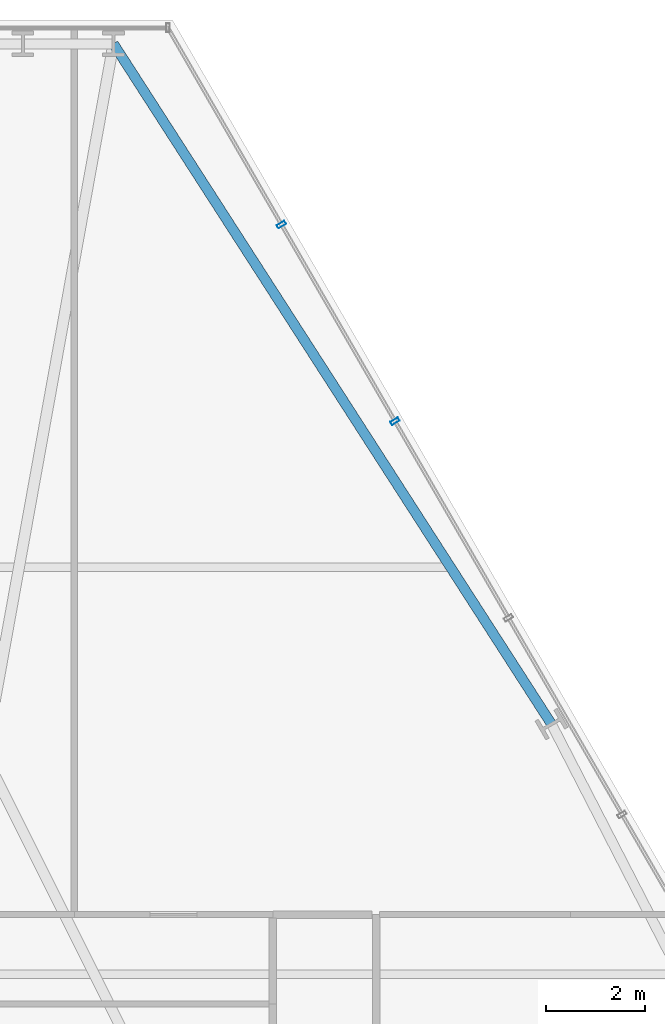
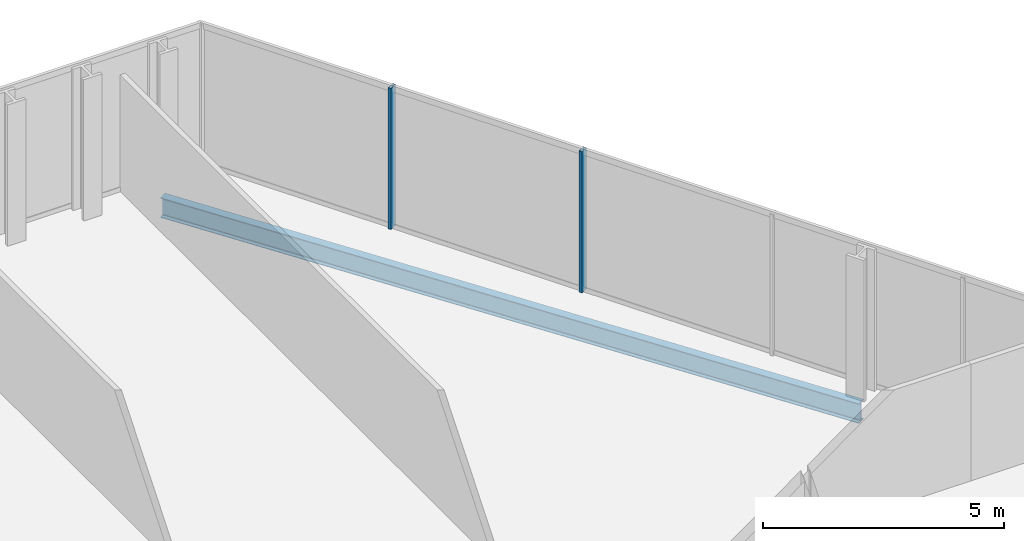
# One storey, part 25 of 32: 2 members, 1 beam, 1 element without a shape of its own.
"""IFC4 building model written with IfcOpenShell, lengths in metres."""

from ifc_helpers import new_model, si_unit, direction, frame, origin, origin_2d, place, context, subcontext, project, spatial, hollow_rectangle, i_section, extrude, material, layer, layer_set, material_profile, profile_set, type_object, element, aggregate, save


model = new_model("IFC4")

# Units and contexts
model_context = context("Model", 3, precision=1e-05, world=origin(), true_north=direction((0.0, 1.0)))
body_context = subcontext(model_context, "Body", "Model", "MODEL_VIEW")
ifc_project = project(units=[si_unit("LENGTHUNIT", "METRE"), si_unit("AREAUNIT", "SQUARE_METRE"), si_unit("VOLUMEUNIT", "CUBIC_METRE"), si_unit("PLANEANGLEUNIT", "RADIAN"), si_unit("MASSUNIT", "GRAM", prefix="KILO")], contexts=[model_context])

# Site, building, storey
site_placement = place(None, origin())
site = spatial("IfcSite", under=ifc_project, at=site_placement, CompositionType="ELEMENT")
building_placement = place(site_placement, origin())
building = spatial("IfcBuilding", under=site, at=building_placement, Name="Ndaravel Arena Tower", CompositionType="ELEMENT")
storey_placement = place(building_placement, frame((0.0, 0.0, 74.0)))
storey = spatial("IfcBuildingStorey", under=building, at=storey_placement, Name="L16", CompositionType="ELEMENT", Elevation=74.0)

# Beam
ifc_material_1 = material(Name="Steel S355", Category="steel")
ifc_material_profile_1 = material_profile(ifc_material_1, i_section(OverallWidth=0.199951171875, OverallDepth=0.5, WebThickness=0.01025390625, FlangeThickness=0.01611328125, FilletRadius=0.02099609375, at=origin_2d()), Name="IPE 500")
ifc_profile_set_1 = profile_set([ifc_material_profile_1], Name="Steel S355")
beam_type = type_object("IfcBeamType", Name="BM-SPAN-IPE500", PredefinedType="SPANDREL", material=ifc_profile_set_1)
beam_placement = place(storey_placement, frame((57.216796875, 31.836181640625, -0.469970703125), z_axis=(-0.541382511268, 0.840776412903, 0.0), x_axis=(-0.840776412903, -0.541382511268, 0.0)))
element("IfcBeam", 1, at=beam_placement, inside=storey, type_object=beam_type, Name="L16 Perimeter Spandrel Beam SP-10", PredefinedType="SPANDREL", context=body_context, shape_type="SweptSolid", body=[
    extrude(i_section(OverallWidth=0.199951171875, OverallDepth=0.5, WebThickness=0.01025390625, FlangeThickness=0.01611328125, FilletRadius=0.02099609375, at=origin_2d()), origin(), (0.0, 0.0, 1.0), 16.3056640625),
])

# Curtain wall, members
ifc_material_2 = material(Name="Aluminium", Category="aluminium")
ifc_layer = layer(ifc_material_2, 0.179931640625)
ifc_layer_set = layer_set([ifc_layer], Name="Aluminium")
curtain_wall_type = type_object("IfcCurtainWallType", Name="CW-SYS-03", PredefinedType="NOTDEFINED", material=ifc_layer_set)
curtain_wall_placement = place(storey_placement, origin())
curtain_wall = element("IfcCurtainWall", 2, at=curtain_wall_placement, inside=storey, type_object=curtain_wall_type, Name="L16 Faceted Crystal Curtain Wall CW-L16-E03", PredefinedType="NOTDEFINED")
ifc_material_3 = material(Name="Aluminium", Category="aluminium")
ifc_material_profile_2 = material_profile(ifc_material_3, hollow_rectangle(XDim=0.074951171875, YDim=0.179931640625, WallThickness=0.00390625, at=origin_2d()), Name="CW MULLION 75x180x4")
ifc_profile_set_2 = profile_set([ifc_material_profile_2], Name="Aluminium")
member_type = type_object("IfcMemberType", Name="MEM-CW-MUL180", PredefinedType="MULLION", material=ifc_profile_set_2)
member_1_placement = place(storey_placement, frame((54.062255859375, 37.940185546875, 0.0), z_axis=(0.0, 0.0, 1.0), x_axis=(-0.5, 0.866025403784, 0.0)))
member_1 = element("IfcMember", 3, at=member_1_placement, type_object=member_type, Name="CW-L16-E03 Mullion 05", PredefinedType="MULLION", context=body_context, shape_type="SweptSolid", body=[
    extrude(hollow_rectangle(XDim=0.074951171875, YDim=0.179931640625, WallThickness=0.00390625, at=origin_2d()), origin(), (0.0, 0.0, 1.0), 3.580078125),
])
member_2_placement = place(storey_placement, frame((51.7744140625, 41.903076171875, 0.0), z_axis=(0.0, 0.0, 1.0), x_axis=(-0.5, 0.866025403784, 0.0)))
member_2 = element("IfcMember", 4, at=member_2_placement, type_object=member_type, Name="CW-L16-E03 Mullion 06", PredefinedType="MULLION", context=body_context, shape_type="SweptSolid", body=[
    extrude(hollow_rectangle(XDim=0.074951171875, YDim=0.179931640625, WallThickness=0.00390625, at=origin_2d()), origin(), (0.0, 0.0, 1.0), 3.580078125),
])
aggregate(curtain_wall, [member_1, member_2])

save(model, "model.ifc")
